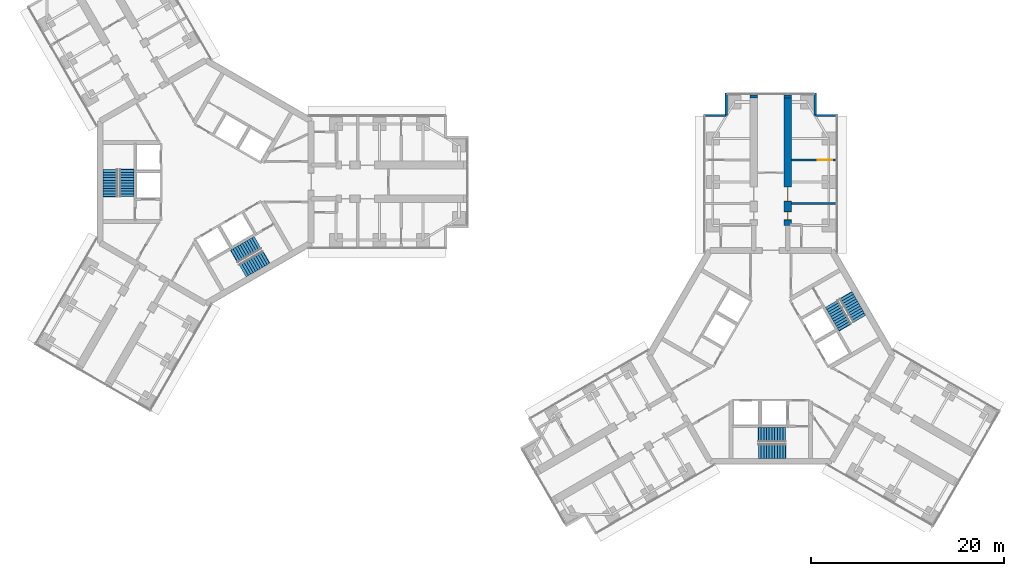
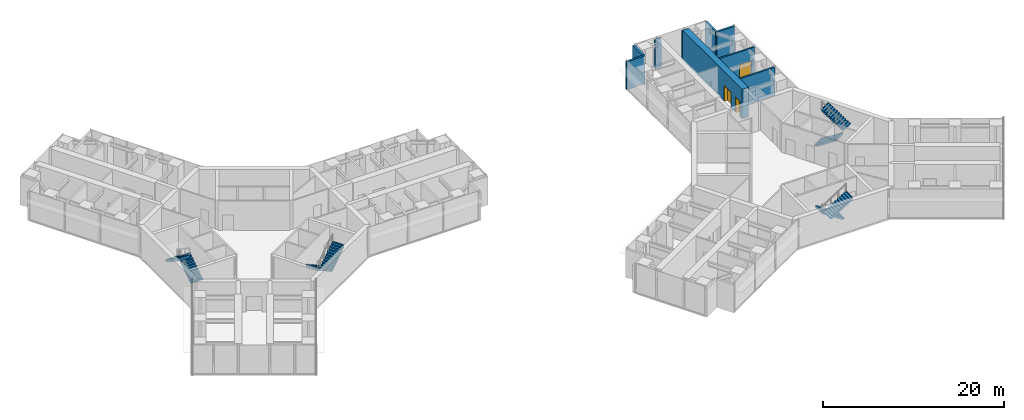
# One storey, part 20 of 21: 9 walls, 8 stair flights, 3 doors, 3 openings, 4 elements without a shape of their own.
"""IFC4 building model written with IfcOpenShell, lengths in metres."""

from ifc_helpers import new_model, si_unit, direction, frame, frame_2d, origin, place, context, subcontext, project, spatial, polyline, rectangle, outline, extrude, material, layer, layer_set, type_object, element, fill, aggregate, save


model = new_model("IFC4")

# Units and contexts
model_context = context("Model", 3, precision=1e-05, world=origin(), true_north=direction((0.0, 1.0)))
body_context = subcontext(model_context, "Body", "Model", "MODEL_VIEW")
ifc_project = project(units=[si_unit("LENGTHUNIT", "METRE"), si_unit("AREAUNIT", "SQUARE_METRE"), si_unit("VOLUMEUNIT", "CUBIC_METRE"), si_unit("PLANEANGLEUNIT", "RADIAN"), si_unit("MASSUNIT", "GRAM", prefix="KILO")], contexts=[model_context])

# Site, building, storey
site_placement = place(None, origin())
site = spatial("IfcSite", under=ifc_project, at=site_placement, CompositionType="ELEMENT")
building_placement = place(site_placement, origin())
building = spatial("IfcBuilding", under=site, at=building_placement, Name="Upepo Twin Towers", CompositionType="ELEMENT")
storey_placement = place(building_placement, frame((0.0, 0.0, 117.5)))
storey = spatial("IfcBuildingStorey", under=building, at=storey_placement, Name="L28", CompositionType="ELEMENT", Elevation=117.5)

# Wall
ifc_material_1 = material(Name="Concrete blockwork, plastered both faces", Category="masonry")
ifc_layer_1 = layer(ifc_material_1, 0.215087890625)
ifc_layer_set_1 = layer_set([ifc_layer_1], Name="Blockwork partition 215")
wall_type_1 = type_object("IfcWallType", Name="Blockwork partition 215", PredefinedType="PARTITIONING", material=ifc_layer_set_1)
wall_1_placement = place(storey_placement, frame((60.64990234375, -2.25, 0.0), z_axis=(0.0, 0.0, 1.0), x_axis=(1.0, 0.0, 0.0)))
element("IfcWall", 1, at=wall_1_placement, inside=storey, type_object=wall_type_1, Name="T2 partition AR at 15.75", PredefinedType="PARTITIONING", context=body_context, shape_type="SweptSolid", body=[
    extrude(rectangle(XDim=4.60009765625, YDim=0.215087890625, at=frame_2d((2.300048828125, 0.0))), origin(), (0.0, 0.0, 1.0), 3.800048828125),
])

# Wall, opening, door
wall_2_placement = place(storey_placement, frame((60.64990234375, 2.25, 0.0), z_axis=(0.0, 0.0, 1.0), x_axis=(1.0, 0.0, 0.0)))
wall_2 = element("IfcWall", 2, at=wall_2_placement, inside=storey, type_object=wall_type_1, Name="T2 partition AR at 20.25", PredefinedType="PARTITIONING", context=body_context, shape_type="SweptSolid", body=[
    extrude(rectangle(XDim=4.60009765625, YDim=0.215087890625, at=frame_2d((2.300048828125, 0.0))), origin(), (0.0, 0.0, 1.0), 3.800048828125),
])
opening_1_placement = place(wall_2_placement, frame((2.699951171875, 0.0, 0.0)))
opening_1 = element("IfcOpeningElement", 3, at=opening_1_placement, cuts=wall_2, Name="Opening D13", PredefinedType="OPENING", context=body_context, shape_type="SweptSolid", body=[
    extrude(rectangle(XDim=1.5, YDim=2.10009765625, at=frame_2d((0.75, 1.050048828125))), frame((0.0, 0.117431640625, 0.0), z_axis=(0.0, -1.0, 0.0), x_axis=(1.0, 0.0, 0.0)), (0.0, 0.0, 1.0), 0.235107421875),
])
ifc_material_2 = material(Name="Timber doorset", Category="wood")
door_type_1 = type_object("IfcDoorType", Name="Double door 1500 FD30", OperationType="DOUBLE_DOOR_SINGLE_SWING", PredefinedType="DOOR", material=ifc_material_2)
door_1_placement = place(opening_1_placement, origin())
door_1 = element("IfcDoor", 4, at=door_1_placement, inside=storey, type_object=door_type_1, Name="T2 L28 connecting door", OperationType="DOUBLE_DOOR_SINGLE_SWING", OverallHeight=2.10009765625, OverallWidth=1.5, PredefinedType="DOOR", context=body_context, shape_type="SweptSolid", body=[
    extrude(rectangle(XDim=1.5, YDim=2.10009765625, at=frame_2d((0.75, 1.050048828125))), frame((0.0, 0.02490234375, 0.0), z_axis=(0.0, -1.0, 0.0), x_axis=(1.0, 0.0, 0.0)), (0.0, 0.0, 1.0), 0.050048828125),
])
fill(opening_1, door_1)

# Walls
ifc_material_3 = material(Name="Dense concrete blockwork", Category="masonry")
ifc_layer_2 = layer(ifc_material_3, 0.800048828125)
ifc_layer_set_2 = layer_set([ifc_layer_2], Name="Buttress closer 800, blockwork with fire-stopping to the curtain wall")
wall_type_2 = type_object("IfcWallType", Name="Buttress closer 800, blockwork with fire-stopping to the curtain wall", PredefinedType="PARTITIONING", material=ifc_layer_set_2)
for number, where, z_axis, x_axis, name in (
    (5, (56.75, 8.699951171875, 0.0), (0.0, 0.0, 1.0), (0.0, 1.0, 0.0), "T2 L28 wing A buttress closer L"),
    (6, (60.25, 8.699951171875, 0.0), (0.0, 0.0, 1.0), (0.0, 1.0, 0.0), "T2 L28 wing A buttress closer R"),
):
    element("IfcWall", number, at=place(storey_placement, frame(where, z_axis=z_axis, x_axis=x_axis)), inside=storey, type_object=wall_type_2, Name=name, PredefinedType="PARTITIONING", context=body_context, shape_type="SweptSolid", body=[
        extrude(rectangle(XDim=0.300048828125, YDim=0.800048828125, at=frame_2d((0.14990234375, 0.0))), origin(), (0.0, 0.0, 1.0), 3.800048828125),
    ])

# Wall, openings, doors
ifc_material_4 = material(Name="Concrete C60/75", Category="concrete")
ifc_layer_3 = layer(ifc_material_4, 0.800048828125)
ifc_layer_set_3 = layer_set([ifc_layer_3], Name="Concrete C60/75")
wall_type_3 = type_object("IfcWallType", Name="Buttress wall 800 RC", PredefinedType="SHEAR", material=ifc_layer_set_3)
wall_3_placement = place(storey_placement, frame((60.25, -4.5, 0.0), z_axis=(0.0, 0.0, 1.0), x_axis=(0.0, 1.0, 0.0)))
wall_3 = element("IfcWall", 7, at=wall_3_placement, inside=storey, type_object=wall_type_3, Name="T2 wing A buttress wall R part 2", PredefinedType="SHEAR", context=body_context, shape_type="SweptSolid", body=[
    extrude(rectangle(XDim=13.199951171875, YDim=0.800048828125, at=frame_2d((6.60009765625, 0.0))), origin(), (0.0, 0.0, 1.0), 4.0),
])
opening_2_placement = place(wall_3_placement, frame((0.550048828125, 0.0, 0.0)))
opening_2 = element("IfcOpeningElement", 8, at=opening_2_placement, cuts=wall_3, Name="Opening D11", PredefinedType="OPENING", context=body_context, shape_type="SweptSolid", body=[
    extrude(rectangle(XDim=0.89990234375, YDim=2.10009765625, at=frame_2d((0.449951171875, 1.050048828125))), frame((0.0, 0.409912109375, 0.0), z_axis=(0.0, -1.0, 0.0), x_axis=(1.0, 0.0, 0.0)), (0.0, 0.0, 1.0), 0.820068359375),
])
opening_3_placement = place(wall_3_placement, frame((2.5, 0.0, 0.0)))
opening_3 = element("IfcOpeningElement", 9, at=opening_3_placement, cuts=wall_3, Name="Opening D13", PredefinedType="OPENING", context=body_context, shape_type="SweptSolid", body=[
    extrude(rectangle(XDim=1.5, YDim=2.10009765625, at=frame_2d((0.75, 1.050048828125))), frame((0.0, 0.409912109375, 0.0), z_axis=(0.0, -1.0, 0.0), x_axis=(1.0, 0.0, 0.0)), (0.0, 0.0, 1.0), 0.820068359375),
])
door_2_placement = place(opening_3_placement, origin())
door_2 = element("IfcDoor", 10, at=door_2_placement, inside=storey, type_object=door_type_1, Name="T2 L28 lecture room door", OperationType="DOUBLE_DOOR_SINGLE_SWING", OverallHeight=2.10009765625, OverallWidth=1.5, PredefinedType="DOOR", context=body_context, shape_type="SweptSolid", body=[
    extrude(rectangle(XDim=1.42, YDim=2.06009765625, at=frame_2d((0.75, 1.030029296875))), frame((0.0, 0.02490234375, 0.0), z_axis=(0.0, -1.0, 0.0), x_axis=(1.0, 0.0, 0.0)), (0.0, 0.0, 1.0), 0.050048828125),
    extrude(rectangle(XDim=0.04, YDim=2.10009765625, at=frame_2d((0.02001953125, 1.050048828125))), frame((0.0, 0.39990234375, 0.0), z_axis=(0.0, -1.0, 0.0), x_axis=(1.0, 0.0, 0.0)), (0.0, 0.0, 1.0), 0.799560546875),
    extrude(rectangle(XDim=0.04, YDim=2.10009765625, at=frame_2d((1.47998046875, 1.050048828125))), frame((0.0, 0.39990234375, 0.0), z_axis=(0.0, -1.0, 0.0), x_axis=(1.0, 0.0, 0.0)), (0.0, 0.0, 1.0), 0.799560546875),
    extrude(rectangle(XDim=1.42, YDim=0.04, at=frame_2d((0.75, 2.080078125))), frame((0.0, 0.39990234375, 0.0), z_axis=(0.0, -1.0, 0.0), x_axis=(1.0, 0.0, 0.0)), (0.0, 0.0, 1.0), 0.799560546875),
])
fill(opening_3, door_2)
ifc_material_5 = material(Name="Timber doorset", Category="wood")
door_type_2 = type_object("IfcDoorType", Name="Toilet door 900", OperationType="SINGLE_SWING_LEFT", PredefinedType="DOOR", material=ifc_material_5)
door_3_placement = place(opening_2_placement, origin())
door_3 = element("IfcDoor", 11, at=door_3_placement, inside=storey, type_object=door_type_2, Name="T2 L28 toilets door", OperationType="SINGLE_SWING_LEFT", OverallHeight=2.10009765625, OverallWidth=0.89990234375, PredefinedType="DOOR", context=body_context, shape_type="SweptSolid", body=[
    extrude(rectangle(XDim=0.81990234375, YDim=2.06009765625, at=frame_2d((0.449951171875, 1.030029296875))), frame((0.0, 0.02490234375, 0.0), z_axis=(0.0, -1.0, 0.0), x_axis=(1.0, 0.0, 0.0)), (0.0, 0.0, 1.0), 0.050048828125),
    extrude(rectangle(XDim=0.04, YDim=2.10009765625, at=frame_2d((0.02001953125, 1.050048828125))), frame((0.0, 0.39990234375, 0.0), z_axis=(0.0, -1.0, 0.0), x_axis=(1.0, 0.0, 0.0)), (0.0, 0.0, 1.0), 0.799560546875),
    extrude(rectangle(XDim=0.04, YDim=2.10009765625, at=frame_2d((0.8798828125, 1.050048828125))), frame((0.0, 0.39990234375, 0.0), z_axis=(0.0, -1.0, 0.0), x_axis=(1.0, 0.0, 0.0)), (0.0, 0.0, 1.0), 0.799560546875),
    extrude(rectangle(XDim=0.81990234375, YDim=0.04, at=frame_2d((0.449951171875, 2.080078125))), frame((0.0, 0.39990234375, 0.0), z_axis=(0.0, -1.0, 0.0), x_axis=(1.0, 0.0, 0.0)), (0.0, 0.0, 1.0), 0.799560546875),
])
fill(opening_2, door_3)

# Walls
ifc_material_6 = material(Name="Blockwork with anodised aluminium cladding", Category="masonry")
ifc_layer_4 = layer(ifc_material_6, 0.25)
ifc_layer_set_4 = layer_set([ifc_layer_4], Name="Notch cladding wall 250, pale metal")
wall_type_4 = type_object("IfcWallType", Name="Notch cladding wall 250, pale metal", PredefinedType="STANDARD", material=ifc_layer_set_4)
for number, where, z_axis, x_axis, name in (
    (12, (51.550048828125, 6.875, 0.0), (0.0, 0.0, 1.0), (1.0, 0.0, 0.0), "T2 L28 wing A notch wall L1"),
    (13, (53.875, 6.875, 0.0), (0.0, 0.0, 1.0), (0.0, 1.0, 0.0), "T2 L28 wing A notch wall L2"),
    (14, (65.449951171875, 6.875, 0.0), (0.0, 0.0, 1.0), (-1.0, 0.0, 0.0), "T2 L28 wing A notch wall R1"),
    (15, (63.125, 6.875, 0.0), (0.0, 0.0, 1.0), (0.0, 1.0, 0.0), "T2 L28 wing A notch wall R2"),
):
    element("IfcWall", number, at=place(storey_placement, frame(where, z_axis=z_axis, x_axis=x_axis)), inside=storey, type_object=wall_type_4, Name=name, PredefinedType="STANDARD", context=body_context, shape_type="SweptSolid", body=[
        extrude(rectangle(XDim=2.324951171875, YDim=0.25, at=frame_2d((1.16259765625, 0.0))), origin(), (0.0, 0.0, 1.0), 3.800048828125),
    ])

# Stair, stair flights
ifc_material_7 = material(Name="Concrete C40/50", Category="concrete")
stair_type = type_object("IfcStairType", Name="Core stair, two flights", PredefinedType="HALF_TURN_STAIR", material=ifc_material_7)
stair_1_placement = place(storey_placement, origin())
stair_1 = element("IfcStair", 16, at=stair_1_placement, inside=storey, type_object=stair_type, Name="T1 stair S1 L28", PredefinedType="HALF_TURN_STAIR")
ifc_material_8 = material(Name="Concrete C40/50", Category="concrete")
stair_flight_type = type_object("IfcStairFlightType", Name="Stair flight 1500 RC", PredefinedType="STRAIGHT", material=ifc_material_8)
stair_flight_1_placement = place(storey_placement, frame((-8.14990234375, -1.52001953125, 0.0), z_axis=(0.0, 0.0, 1.0), x_axis=(0.0, 1.0, 0.0)))
stair_flight_1 = element("IfcStairFlight", 17, at=stair_flight_1_placement, type_object=stair_flight_type, Name="Stair S1 flight 1", NumberOfRisers=11, NumberOfTreads=10, PredefinedType="STRAIGHT", RiserHeight=0.181818182, TreadLength=0.28, context=body_context, shape_type="SweptSolid", body=[
    extrude(outline(polyline([(0.0, 0.0), (0.0, 0.181884765625), (0.280029296875, 0.181884765625), (0.280029296875, 0.363525390625), (0.56005859375, 0.363525390625), (0.56005859375, 0.54541015625), (0.840087890625, 0.54541015625), (0.840087890625, 0.727294921875), (1.1201171875, 0.727294921875), (1.1201171875, 0.9091796875), (1.39990234375, 0.9091796875), (1.39990234375, 1.0908203125), (1.679931640625, 1.0908203125), (1.679931640625, 1.272705078125), (1.9599609375, 1.272705078125), (1.9599609375, 1.45458984375), (2.239990234375, 1.45458984375), (2.239990234375, 1.636474609375), (2.52001953125, 1.636474609375), (2.52001953125, 1.818115234375), (2.800048828125, 1.818115234375), (2.800048828125, 2.0), (2.85009765625, 2.0), (2.85009765625, 1.639404296875), (0.3251953125, 0.0), (0.0, 0.0)])), frame((0.0, 0.75, 0.0), z_axis=(0.0, -1.0, 0.0), x_axis=(1.0, 0.0, 0.0)), (0.0, 0.0, 1.0), 1.5),
])
stair_flight_2_placement = place(storey_placement, frame((-9.8583984375, 1.280029296875, 2.0), z_axis=(0.0, 0.0, 1.0), x_axis=(0.0, -1.0, 0.0)))
stair_flight_2 = element("IfcStairFlight", 18, at=stair_flight_2_placement, type_object=stair_flight_type, Name="Stair S1 flight 2", NumberOfRisers=11, NumberOfTreads=10, PredefinedType="STRAIGHT", RiserHeight=0.181818182, TreadLength=0.28, context=body_context, shape_type="SweptSolid", body=[
    extrude(outline(polyline([(0.0, 0.0), (0.0, 0.181884765625), (0.280029296875, 0.181884765625), (0.280029296875, 0.363525390625), (0.56005859375, 0.363525390625), (0.56005859375, 0.54541015625), (0.840087890625, 0.54541015625), (0.840087890625, 0.727294921875), (1.1201171875, 0.727294921875), (1.1201171875, 0.9091796875), (1.39990234375, 0.9091796875), (1.39990234375, 1.0908203125), (1.679931640625, 1.0908203125), (1.679931640625, 1.272705078125), (1.9599609375, 1.272705078125), (1.9599609375, 1.45458984375), (2.239990234375, 1.45458984375), (2.239990234375, 1.636474609375), (2.52001953125, 1.636474609375), (2.52001953125, 1.818115234375), (2.800048828125, 1.818115234375), (2.800048828125, 2.0), (2.85009765625, 2.0), (2.85009765625, 1.639404296875), (0.3251953125, 0.0), (0.0, 0.0)])), frame((0.0, 0.75, 0.0), z_axis=(0.0, -1.0, 0.0), x_axis=(1.0, 0.0, 0.0)), (0.0, 0.0, 1.0), 1.5),
])
aggregate(stair_1, [stair_flight_1, stair_flight_2])

stair_2_placement = place(storey_placement, origin())
stair_2 = element("IfcStair", 19, at=stair_2_placement, inside=storey, type_object=stair_type, Name="T1 stair S2 L28", PredefinedType="HALF_TURN_STAIR")
stair_flight_3_placement = place(storey_placement, frame((5.391357421875, -6.298095703125, 0.0), z_axis=(0.0, 0.0, 1.0), x_axis=(-0.866025403784, -0.5, 0.0)))
stair_flight_3 = element("IfcStairFlight", 20, at=stair_flight_3_placement, type_object=stair_flight_type, Name="Stair S2 flight 1", NumberOfRisers=11, NumberOfTreads=10, PredefinedType="STRAIGHT", RiserHeight=0.181818182, TreadLength=0.28, context=body_context, shape_type="SweptSolid", body=[
    extrude(outline(polyline([(0.0, 0.0), (0.0, 0.181884765625), (0.280029296875, 0.181884765625), (0.280029296875, 0.363525390625), (0.56005859375, 0.363525390625), (0.56005859375, 0.54541015625), (0.840087890625, 0.54541015625), (0.840087890625, 0.727294921875), (1.1201171875, 0.727294921875), (1.1201171875, 0.9091796875), (1.39990234375, 0.9091796875), (1.39990234375, 1.0908203125), (1.679931640625, 1.0908203125), (1.679931640625, 1.272705078125), (1.9599609375, 1.272705078125), (1.9599609375, 1.45458984375), (2.239990234375, 1.45458984375), (2.239990234375, 1.636474609375), (2.52001953125, 1.636474609375), (2.52001953125, 1.818115234375), (2.800048828125, 1.818115234375), (2.800048828125, 2.0), (2.85009765625, 2.0), (2.85009765625, 1.639404296875), (0.3251953125, 0.0), (0.0, 0.0)])), frame((0.0, 0.75, 0.0), z_axis=(0.0, -1.0, 0.0), x_axis=(1.0, 0.0, 0.0)), (0.0, 0.0, 1.0), 1.5),
])
stair_flight_4_placement = place(storey_placement, frame((3.820556640625, -9.177490234375, 2.0), z_axis=(0.0, 0.0, 1.0), x_axis=(0.866025403784, 0.5, 0.0)))
stair_flight_4 = element("IfcStairFlight", 21, at=stair_flight_4_placement, type_object=stair_flight_type, Name="Stair S2 flight 2", NumberOfRisers=11, NumberOfTreads=10, PredefinedType="STRAIGHT", RiserHeight=0.181818182, TreadLength=0.28, context=body_context, shape_type="SweptSolid", body=[
    extrude(outline(polyline([(0.0, 0.0), (0.0, 0.181884765625), (0.280029296875, 0.181884765625), (0.280029296875, 0.363525390625), (0.56005859375, 0.363525390625), (0.56005859375, 0.54541015625), (0.840087890625, 0.54541015625), (0.840087890625, 0.727294921875), (1.1201171875, 0.727294921875), (1.1201171875, 0.9091796875), (1.39990234375, 0.9091796875), (1.39990234375, 1.0908203125), (1.679931640625, 1.0908203125), (1.679931640625, 1.272705078125), (1.9599609375, 1.272705078125), (1.9599609375, 1.45458984375), (2.239990234375, 1.45458984375), (2.239990234375, 1.636474609375), (2.52001953125, 1.636474609375), (2.52001953125, 1.818115234375), (2.800048828125, 1.818115234375), (2.800048828125, 2.0), (2.85009765625, 2.0), (2.85009765625, 1.639404296875), (0.3251953125, 0.0), (0.0, 0.0)])), frame((0.0, 0.75, 0.0), z_axis=(0.0, -1.0, 0.0), x_axis=(1.0, 0.0, 0.0)), (0.0, 0.0, 1.0), 1.5),
])
aggregate(stair_2, [stair_flight_3, stair_flight_4])

stair_3_placement = place(storey_placement, origin())
stair_3 = element("IfcStair", 22, at=stair_3_placement, inside=storey, type_object=stair_type, Name="T2 stair S1 L28", PredefinedType="HALF_TURN_STAIR")
stair_flight_5_placement = place(storey_placement, frame((60.02001953125, -26.14990234375, 0.0), z_axis=(0.0, 0.0, 1.0), x_axis=(-1.0, 0.0, 0.0)))
stair_flight_5 = element("IfcStairFlight", 23, at=stair_flight_5_placement, type_object=stair_flight_type, Name="Stair S1 flight 1", NumberOfRisers=11, NumberOfTreads=10, PredefinedType="STRAIGHT", RiserHeight=0.181818182, TreadLength=0.28, context=body_context, shape_type="SweptSolid", body=[
    extrude(outline(polyline([(0.0, 0.0), (0.0, 0.181884765625), (0.280029296875, 0.181884765625), (0.280029296875, 0.363525390625), (0.56005859375, 0.363525390625), (0.56005859375, 0.54541015625), (0.840087890625, 0.54541015625), (0.840087890625, 0.727294921875), (1.1201171875, 0.727294921875), (1.1201171875, 0.9091796875), (1.39990234375, 0.9091796875), (1.39990234375, 1.0908203125), (1.679931640625, 1.0908203125), (1.679931640625, 1.272705078125), (1.9599609375, 1.272705078125), (1.9599609375, 1.45458984375), (2.239990234375, 1.45458984375), (2.239990234375, 1.636474609375), (2.52001953125, 1.636474609375), (2.52001953125, 1.818115234375), (2.800048828125, 1.818115234375), (2.800048828125, 2.0), (2.85009765625, 2.0), (2.85009765625, 1.639404296875), (0.3251953125, 0.0), (0.0, 0.0)])), frame((0.0, 0.75, 0.0), z_axis=(0.0, -1.0, 0.0), x_axis=(1.0, 0.0, 0.0)), (0.0, 0.0, 1.0), 1.5),
])
stair_flight_6_placement = place(storey_placement, frame((57.219970703125, -27.8583984375, 2.0), z_axis=(0.0, 0.0, 1.0), x_axis=(1.0, 0.0, 0.0)))
stair_flight_6 = element("IfcStairFlight", 24, at=stair_flight_6_placement, type_object=stair_flight_type, Name="Stair S1 flight 2", NumberOfRisers=11, NumberOfTreads=10, PredefinedType="STRAIGHT", RiserHeight=0.181818182, TreadLength=0.28, context=body_context, shape_type="SweptSolid", body=[
    extrude(outline(polyline([(0.0, 0.0), (0.0, 0.181884765625), (0.280029296875, 0.181884765625), (0.280029296875, 0.363525390625), (0.56005859375, 0.363525390625), (0.56005859375, 0.54541015625), (0.840087890625, 0.54541015625), (0.840087890625, 0.727294921875), (1.1201171875, 0.727294921875), (1.1201171875, 0.9091796875), (1.39990234375, 0.9091796875), (1.39990234375, 1.0908203125), (1.679931640625, 1.0908203125), (1.679931640625, 1.272705078125), (1.9599609375, 1.272705078125), (1.9599609375, 1.45458984375), (2.239990234375, 1.45458984375), (2.239990234375, 1.636474609375), (2.52001953125, 1.636474609375), (2.52001953125, 1.818115234375), (2.800048828125, 1.818115234375), (2.800048828125, 2.0), (2.85009765625, 2.0), (2.85009765625, 1.639404296875), (0.3251953125, 0.0), (0.0, 0.0)])), frame((0.0, 0.75, 0.0), z_axis=(0.0, -1.0, 0.0), x_axis=(1.0, 0.0, 0.0)), (0.0, 0.0, 1.0), 1.5),
])
aggregate(stair_3, [stair_flight_5, stair_flight_6])

stair_4_placement = place(storey_placement, origin())
stair_4 = element("IfcStair", 25, at=stair_4_placement, inside=storey, type_object=stair_type, Name="T2 stair S2 L28", PredefinedType="HALF_TURN_STAIR")
stair_flight_7_placement = place(storey_placement, frame((64.798095703125, -12.608642578125, 0.0), z_axis=(0.0, 0.0, 1.0), x_axis=(0.5, -0.866025403784, 0.0)))
stair_flight_7 = element("IfcStairFlight", 26, at=stair_flight_7_placement, type_object=stair_flight_type, Name="Stair S2 flight 1", NumberOfRisers=11, NumberOfTreads=10, PredefinedType="STRAIGHT", RiserHeight=0.181818182, TreadLength=0.28, context=body_context, shape_type="SweptSolid", body=[
    extrude(outline(polyline([(0.0, 0.0), (0.0, 0.181884765625), (0.280029296875, 0.181884765625), (0.280029296875, 0.363525390625), (0.56005859375, 0.363525390625), (0.56005859375, 0.54541015625), (0.840087890625, 0.54541015625), (0.840087890625, 0.727294921875), (1.1201171875, 0.727294921875), (1.1201171875, 0.9091796875), (1.39990234375, 0.9091796875), (1.39990234375, 1.0908203125), (1.679931640625, 1.0908203125), (1.679931640625, 1.272705078125), (1.9599609375, 1.272705078125), (1.9599609375, 1.45458984375), (2.239990234375, 1.45458984375), (2.239990234375, 1.636474609375), (2.52001953125, 1.636474609375), (2.52001953125, 1.818115234375), (2.800048828125, 1.818115234375), (2.800048828125, 2.0), (2.85009765625, 2.0), (2.85009765625, 1.639404296875), (0.3251953125, 0.0), (0.0, 0.0)])), frame((0.0, 0.75, 0.0), z_axis=(0.0, -1.0, 0.0), x_axis=(1.0, 0.0, 0.0)), (0.0, 0.0, 1.0), 1.5),
])
stair_flight_8_placement = place(storey_placement, frame((67.677490234375, -14.179443359375, 2.0), z_axis=(0.0, 0.0, 1.0), x_axis=(-0.5, 0.866025403784, 0.0)))
stair_flight_8 = element("IfcStairFlight", 27, at=stair_flight_8_placement, type_object=stair_flight_type, Name="Stair S2 flight 2", NumberOfRisers=11, NumberOfTreads=10, PredefinedType="STRAIGHT", RiserHeight=0.181818182, TreadLength=0.28, context=body_context, shape_type="SweptSolid", body=[
    extrude(outline(polyline([(0.0, 0.0), (0.0, 0.181884765625), (0.280029296875, 0.181884765625), (0.280029296875, 0.363525390625), (0.56005859375, 0.363525390625), (0.56005859375, 0.54541015625), (0.840087890625, 0.54541015625), (0.840087890625, 0.727294921875), (1.1201171875, 0.727294921875), (1.1201171875, 0.9091796875), (1.39990234375, 0.9091796875), (1.39990234375, 1.0908203125), (1.679931640625, 1.0908203125), (1.679931640625, 1.272705078125), (1.9599609375, 1.272705078125), (1.9599609375, 1.45458984375), (2.239990234375, 1.45458984375), (2.239990234375, 1.636474609375), (2.52001953125, 1.636474609375), (2.52001953125, 1.818115234375), (2.800048828125, 1.818115234375), (2.800048828125, 2.0), (2.85009765625, 2.0), (2.85009765625, 1.639404296875), (0.3251953125, 0.0), (0.0, 0.0)])), frame((0.0, 0.75, 0.0), z_axis=(0.0, -1.0, 0.0), x_axis=(1.0, 0.0, 0.0)), (0.0, 0.0, 1.0), 1.5),
])
aggregate(stair_4, [stair_flight_7, stair_flight_8])

save(model, "model.ifc")
